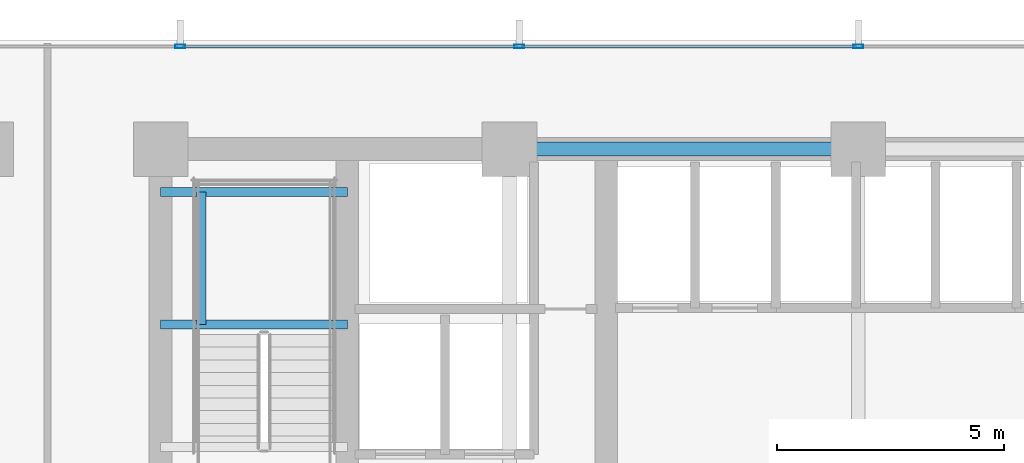
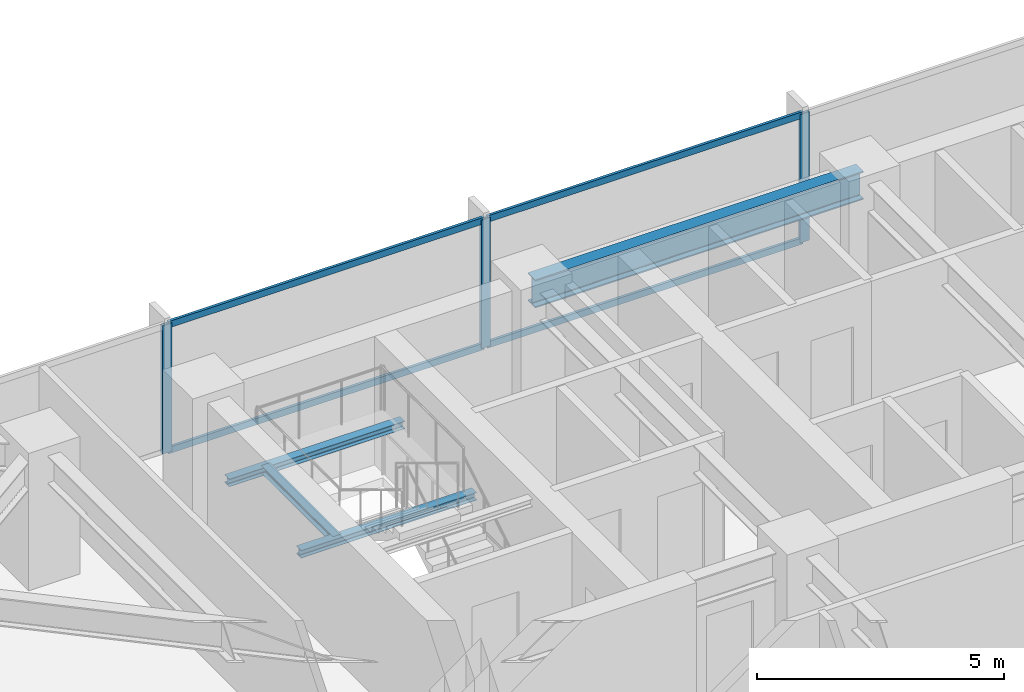
# One storey, part 18 of 32: 7 members, 4 beams, 1 element without a shape of its own.
"""IFC4 building model written with IfcOpenShell, lengths in metres."""

from ifc_helpers import new_model, si_unit, direction, frame, origin, origin_2d, place, context, subcontext, project, spatial, hollow_rectangle, i_section, extrude, material, material_profile, profile_set, type_object, element, aggregate, save


model = new_model("IFC4")

# Units and contexts
model_context = context("Model", 3, precision=1e-05, world=origin(), true_north=direction((0.0, 1.0)))
body_context = subcontext(model_context, "Body", "Model", "MODEL_VIEW")
ifc_project = project(units=[si_unit("LENGTHUNIT", "METRE"), si_unit("AREAUNIT", "SQUARE_METRE"), si_unit("VOLUMEUNIT", "CUBIC_METRE"), si_unit("PLANEANGLEUNIT", "RADIAN"), si_unit("MASSUNIT", "GRAM", prefix="KILO")], contexts=[model_context])

# Site, building, storey
site_placement = place(None, origin())
site = spatial("IfcSite", under=ifc_project, at=site_placement, CompositionType="ELEMENT")
building_placement = place(site_placement, origin())
building = spatial("IfcBuilding", under=site, at=building_placement, Name="Yelkora Congress Tower", CompositionType="ELEMENT")
storey_placement = place(building_placement, frame((0.0, 0.0, 50.800048828125)))
storey = spatial("IfcBuildingStorey", under=building, at=storey_placement, Name="L12", CompositionType="ELEMENT", Elevation=50.800048828125)

# Beams
ifc_material_1 = material(Name="Steel S355J2", Category="steel")
ifc_material_profile_1 = material_profile(ifc_material_1, i_section(OverallWidth=0.300048828125, OverallDepth=0.699951171875, WebThickness=0.01708984375, FlangeThickness=0.031982421875, FilletRadius=0.027099609375, at=origin_2d()), Name="HEB 700")
ifc_profile_set_1 = profile_set([ifc_material_profile_1], Name="Steel S355J2")
beam_type_1 = type_object("IfcBeamType", Name="BM-GIRD-HEB700", PredefinedType="BEAM", material=ifc_profile_set_1)
beam_1_placement = place(storey_placement, frame((30.719970703125, 46.199951171875, 2.829833984375), z_axis=(1.0, 0.0, 0.0), x_axis=(0.0, 1.0, 0.0)))
element("IfcBeam", 1, at=beam_1_placement, inside=storey, type_object=beam_type_1, Name="L12 Core North Girder 3", PredefinedType="BEAM", context=body_context, shape_type="SweptSolid", body=[
    extrude(i_section(OverallWidth=0.300048828125, OverallDepth=0.699951171875, WebThickness=0.01708984375, FlangeThickness=0.031982421875, FilletRadius=0.027099609375, at=origin_2d()), origin(), (0.0, 0.0, 1.0), 7.679931640625),
])
ifc_material_profile_2 = material_profile(ifc_material_1, i_section(OverallWidth=0.199951171875, OverallDepth=0.18994140625, WebThickness=0.006591796875, FlangeThickness=0.010009765625, FilletRadius=0.01806640625, at=origin_2d()), Name="HEA 200")
ifc_profile_set_2 = profile_set([ifc_material_profile_2], Name="Steel S355J2")
beam_type_2 = type_object("IfcBeamType", Name="BM-LAND-HEA200", PredefinedType="BEAM", material=ifc_profile_set_2)
for number, where, z_axis, x_axis, name in (
    (2, (23.0400390625, 42.340087890625, 1.384521484375), (1.0, 0.0, 0.0), (0.0, 1.0, 0.0), "ST-01 L12 Landing Header Beam 1S"),
    (3, (23.0400390625, 45.25, 1.384521484375), (1.0, 0.0, 0.0), (0.0, 1.0, 0.0), "ST-01 L12 Landing Header Beam 1N"),
):
    element("IfcBeam", number, at=place(storey_placement, frame(where, z_axis=z_axis, x_axis=x_axis)), inside=storey, type_object=beam_type_2, Name=name, PredefinedType="BEAM", context=body_context, shape_type="SweptSolid", body=[
        extrude(i_section(OverallWidth=0.199951171875, OverallDepth=0.18994140625, WebThickness=0.006591796875, FlangeThickness=0.010009765625, FilletRadius=0.01806640625, at=origin_2d()), origin(), (0.0, 0.0, 1.0), 4.10986328125),
    ])
beam_2_placement = place(storey_placement, frame((23.93994140625, 42.340087890625, 1.384521484375), z_axis=(0.0, 1.0, 0.0), x_axis=(-1.0, 0.0, 0.0)))
element("IfcBeam", 4, at=beam_2_placement, inside=storey, type_object=beam_type_2, Name="ST-01 L12 Landing Trimmer Beam 1M", PredefinedType="BEAM", context=body_context, shape_type="SweptSolid", body=[
    extrude(i_section(OverallWidth=0.199951171875, OverallDepth=0.18994140625, WebThickness=0.006591796875, FlangeThickness=0.010009765625, FilletRadius=0.01806640625, at=origin_2d()), origin(), (0.0, 0.0, 1.0), 2.909912109375),
])

# Curtain wall, members
ifc_material_2 = material(Name="Anodised aluminium and insulated glass", Category="aluminium")
curtain_wall_type = type_object("IfcCurtainWallType", Name="CW-SYS-B1", PredefinedType="NOTDEFINED", material=ifc_material_2)
curtain_wall_placement = place(storey_placement, origin())
curtain_wall = element("IfcCurtainWall", 5, at=curtain_wall_placement, inside=storey, type_object=curtain_wall_type, Name="L12 Unitised Curtain Wall 10", PredefinedType="NOTDEFINED")
ifc_material_3 = material(Name="Anodised aluminium 6063-T6", Category="aluminium")
ifc_material_profile_3 = material_profile(ifc_material_3, hollow_rectangle(XDim=0.074951171875, YDim=0.219970703125, WallThickness=0.0048828125, at=origin_2d()), Name="ALU 75x220x5")
ifc_profile_set_3 = profile_set([ifc_material_profile_3], Name="Anodised aluminium 6063-T6")
member_type_1 = type_object("IfcMemberType", Name="MEM-ML-B1", PredefinedType="MULLION", material=ifc_profile_set_3)
member_1_placement = place(storey_placement, frame((23.469970703125, 48.4599609375, 0.0), z_axis=(0.0, 0.0, 1.0), x_axis=(0.0, 1.0, 0.0)))
member_1 = element("IfcMember", 6, at=member_1_placement, type_object=member_type_1, Name="CW-B1 mullion 3", PredefinedType="MULLION", context=body_context, shape_type="SweptSolid", body=[
    extrude(hollow_rectangle(XDim=0.074951171875, YDim=0.219970703125, WallThickness=0.0048828125, at=origin_2d()), origin(), (0.0, 0.0, 1.0), 3.179931640625),
])
member_2_placement = place(storey_placement, frame((30.93505859375, 48.4599609375, 0.0), z_axis=(0.0, 0.0, 1.0), x_axis=(0.0, 1.0, 0.0)))
member_2 = element("IfcMember", 7, at=member_2_placement, type_object=member_type_1, Name="CW-B1 mullion 4", PredefinedType="MULLION", context=body_context, shape_type="SweptSolid", body=[
    extrude(hollow_rectangle(XDim=0.074951171875, YDim=0.219970703125, WallThickness=0.0048828125, at=origin_2d()), origin(), (0.0, 0.0, 1.0), 3.179931640625),
])
member_3_placement = place(storey_placement, frame((38.39990234375, 48.4599609375, 0.0), z_axis=(0.0, 0.0, 1.0), x_axis=(0.0, 1.0, 0.0)))
member_3 = element("IfcMember", 8, at=member_3_placement, type_object=member_type_1, Name="CW-B1 mullion 5", PredefinedType="MULLION", context=body_context, shape_type="SweptSolid", body=[
    extrude(hollow_rectangle(XDim=0.074951171875, YDim=0.219970703125, WallThickness=0.0048828125, at=origin_2d()), origin(), (0.0, 0.0, 1.0), 3.179931640625),
])
ifc_material_profile_4 = material_profile(ifc_material_3, hollow_rectangle(XDim=0.06494140625, YDim=0.159912109375, WallThickness=0.00390625, at=origin_2d()), Name="ALU 65x160x4")
ifc_profile_set_4 = profile_set([ifc_material_profile_4], Name="Anodised aluminium 6063-T6")
member_type_2 = type_object("IfcMemberType", Name="MEM-TR-B1", PredefinedType="USERDEFINED", material=ifc_profile_set_4)
member_4_placement = place(storey_placement, frame((23.507568359375, 48.4599609375, 0.032470703125), z_axis=(1.0, 0.0, 0.0), x_axis=(0.0, 1.0, 0.0)))
member_4 = element("IfcMember", 9, at=member_4_placement, type_object=member_type_2, Name="CW-B1 transom 3.1", ObjectType="TRANSOM", PredefinedType="USERDEFINED", context=body_context, shape_type="SweptSolid", body=[
    extrude(hollow_rectangle(XDim=0.06494140625, YDim=0.159912109375, WallThickness=0.00390625, at=origin_2d()), origin(), (0.0, 0.0, 1.0), 7.389892578125),
])
member_5_placement = place(storey_placement, frame((23.507568359375, 48.4599609375, 3.1474609375), z_axis=(1.0, 0.0, 0.0), x_axis=(0.0, 1.0, 0.0)))
member_5 = element("IfcMember", 10, at=member_5_placement, type_object=member_type_2, Name="CW-B1 transom 3.2", ObjectType="TRANSOM", PredefinedType="USERDEFINED", context=body_context, shape_type="SweptSolid", body=[
    extrude(hollow_rectangle(XDim=0.06494140625, YDim=0.159912109375, WallThickness=0.00390625, at=origin_2d()), origin(), (0.0, 0.0, 1.0), 7.389892578125),
])
member_6_placement = place(storey_placement, frame((30.972412109375, 48.4599609375, 0.032470703125), z_axis=(1.0, 0.0, 0.0), x_axis=(0.0, 1.0, 0.0)))
member_6 = element("IfcMember", 11, at=member_6_placement, type_object=member_type_2, Name="CW-B1 transom 4.1", ObjectType="TRANSOM", PredefinedType="USERDEFINED", context=body_context, shape_type="SweptSolid", body=[
    extrude(hollow_rectangle(XDim=0.06494140625, YDim=0.159912109375, WallThickness=0.00390625, at=origin_2d()), origin(), (0.0, 0.0, 1.0), 7.39013671875),
])
member_7_placement = place(storey_placement, frame((30.972412109375, 48.4599609375, 3.1474609375), z_axis=(1.0, 0.0, 0.0), x_axis=(0.0, 1.0, 0.0)))
member_7 = element("IfcMember", 12, at=member_7_placement, type_object=member_type_2, Name="CW-B1 transom 4.2", ObjectType="TRANSOM", PredefinedType="USERDEFINED", context=body_context, shape_type="SweptSolid", body=[
    extrude(hollow_rectangle(XDim=0.06494140625, YDim=0.159912109375, WallThickness=0.00390625, at=origin_2d()), origin(), (0.0, 0.0, 1.0), 7.39013671875),
])
aggregate(curtain_wall, [member_1, member_2, member_3, member_4, member_5, member_6, member_7])

save(model, "model.ifc")
